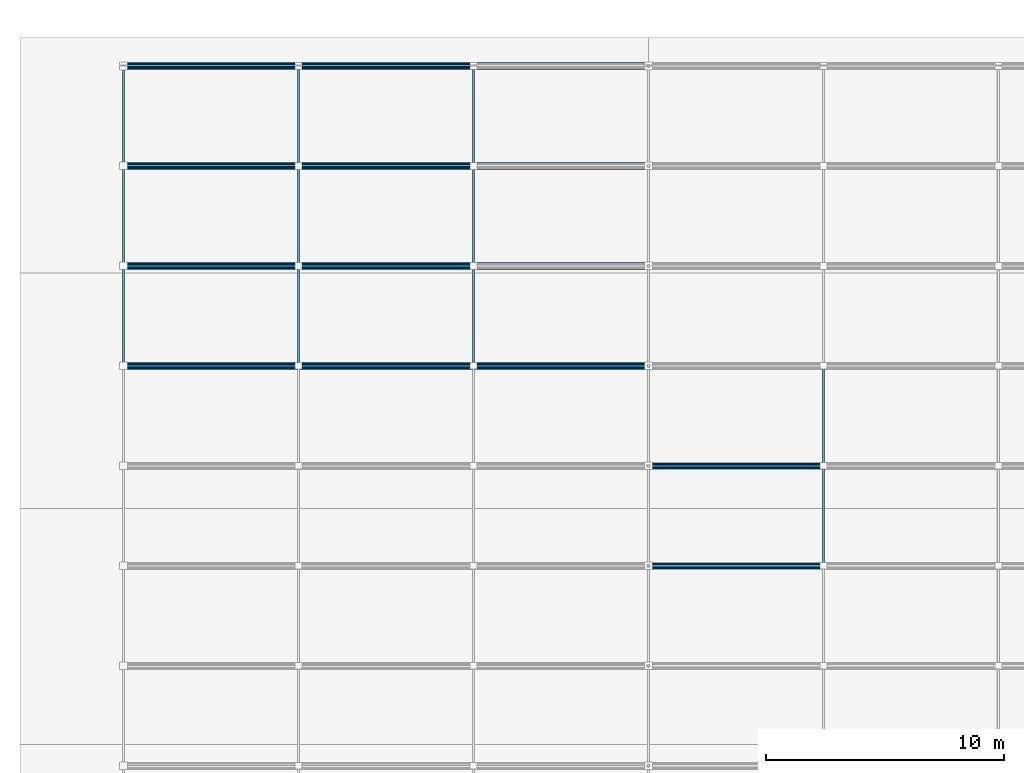
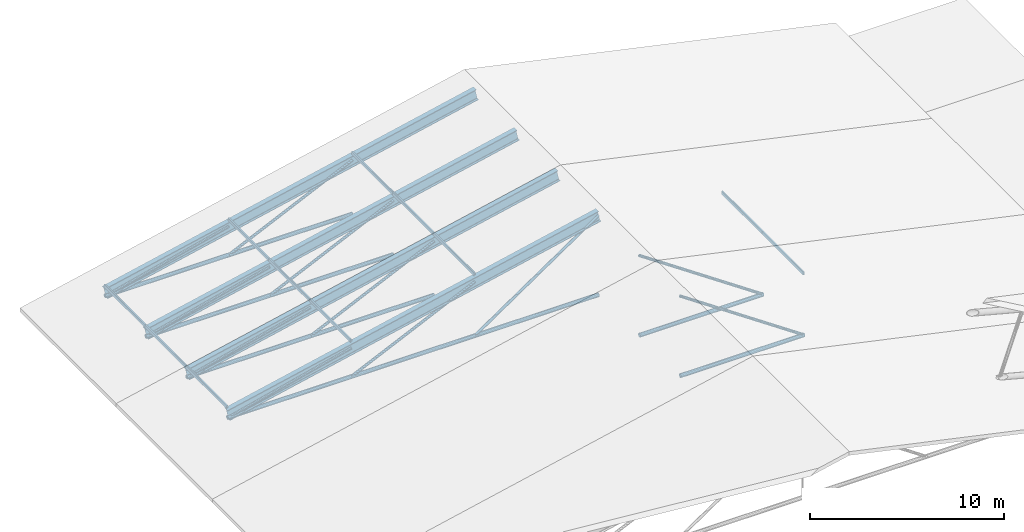
# One storey, part 18 of 60: 33 members, 4 beams.
"""IFC4 building model written with IfcOpenShell, lengths in metres."""

from ifc_helpers import new_model, si_unit, direction, frame, origin, origin_2d, place, context, subcontext, project, spatial, hollow_rectangle, hollow_circle, i_section, extrude, material, material_profile, profile_set, type_object, element, save


model = new_model("IFC4")

# Units and contexts
model_context = context("Model", 3, precision=1e-05, world=origin(), true_north=direction((0.0, 1.0)))
body_context = subcontext(model_context, "Body", "Model", "MODEL_VIEW")
ifc_project = project(units=[si_unit("LENGTHUNIT", "METRE"), si_unit("AREAUNIT", "SQUARE_METRE"), si_unit("VOLUMEUNIT", "CUBIC_METRE"), si_unit("PLANEANGLEUNIT", "RADIAN"), si_unit("MASSUNIT", "GRAM", prefix="KILO")], contexts=[model_context])

# Site, building, storey
site_placement = place(None, origin())
site = spatial("IfcSite", under=ifc_project, at=site_placement, CompositionType="ELEMENT")
building_placement = place(site_placement, origin())
building = spatial("IfcBuilding", under=site, at=building_placement, Name="Nakhvara Creek Congress Hotel", CompositionType="ELEMENT")
storey_placement = place(building_placement, frame((0.0, 0.0, 54.60009765625)))
storey = spatial("IfcBuildingStorey", under=building, at=storey_placement, Name="RL1", CompositionType="ELEMENT", Elevation=54.60009765625)

# Beams
ifc_material_1 = material(Name="Steel S355J2", Category="steel")
ifc_material_profile_1 = material_profile(ifc_material_1, i_section(OverallWidth=0.300048828125, OverallDepth=0.699951171875, WebThickness=0.01708984375, FlangeThickness=0.031982421875, FilletRadius=0.027099609375, at=origin_2d()), Name="HEB 700", Category="LoadBearing")
ifc_profile_set_1 = profile_set([ifc_material_profile_1], Name="Steel S355J2")
beam_type = type_object("IfcBeamType", Name="BM-ST-HEB700", PredefinedType="BEAM", material=ifc_profile_set_1)
for number, where, z_axis, x_axis, name in (
    (1, (4.35009765625, 112.199951171875, -41.68017578125), (0.977115492222, 0.0, 0.212709461143), (0.0, 1.0, 0.0), "Ballroom Roof Truss West Rafter 06"),
    (2, (4.35009765625, 116.39990234375, -41.68017578125), (0.977115492222, 0.0, 0.212709461143), (0.0, 1.0, 0.0), "Ballroom Roof Truss West Rafter 07"),
    (3, (4.35009765625, 120.60009765625, -41.68017578125), (0.977115492222, 0.0, 0.212709461143), (0.0, 1.0, 0.0), "Ballroom Roof Truss West Rafter 08"),
    (4, (4.35009765625, 124.800048828125, -41.68017578125), (0.977115492222, 0.0, 0.212709461143), (0.0, 1.0, 0.0), "Ballroom Roof Truss West Rafter 09"),
):
    element("IfcBeam", number, at=place(storey_placement, frame(where, z_axis=z_axis, x_axis=x_axis)), inside=storey, type_object=beam_type, Name=name, PredefinedType="BEAM", context=body_context, shape_type="SweptSolid", body=[
        extrude(i_section(OverallWidth=0.300048828125, OverallDepth=0.699951171875, WebThickness=0.01708984375, FlangeThickness=0.031982421875, FilletRadius=0.027099609375, at=origin_2d()), origin(), (0.0, 0.0, 1.0), 22.566162109375),
    ])

# Members
ifc_material_2 = material(Name="Steel S355J2H", Category="steel")
ifc_material_profile_2 = material_profile(ifc_material_2, hollow_circle(Radius=0.084228515625, WallThickness=0.008056640625, at=origin_2d()), Name="CHS 168.3x8.0", Category="LoadBearing")
ifc_profile_set_2 = profile_set([ifc_material_profile_2], Name="Steel S355J2H")
member_type_1 = type_object("IfcMemberType", Name="MEM-BRC-CHS168", PredefinedType="BRACE", material=ifc_profile_set_2)
for number, where, z_axis, x_axis, name in (
    (5, (33.75, 103.800048828125, -41.89013671875), (-0.826301661582, 0.0, 0.563227808321), (0.0, -1.0, 0.0), "Ballroom Roof Truss Web Brace 04.4"),
    (6, (33.75, 108.0, -41.89013671875), (-0.826301661582, 0.0, 0.563227808321), (0.0, -1.0, 0.0), "Ballroom Roof Truss Web Brace 05.4"),
):
    element("IfcMember", number, at=place(storey_placement, frame(where, z_axis=z_axis, x_axis=x_axis)), inside=storey, type_object=member_type_1, Name=name, PredefinedType="BRACE", context=body_context, shape_type="SweptSolid", body=[
        extrude(hollow_circle(Radius=0.084228515625, WallThickness=0.008056640625, at=origin_2d()), origin(), (0.0, 0.0, 1.0), 8.895263671875),
    ])
member_1_placement = place(storey_placement, frame((4.35009765625, 112.199951171875, -41.89013671875), z_axis=(0.970988385027, 0.0, 0.239126652934), x_axis=(0.0, 1.0, 0.0)))
element("IfcMember", 7, at=member_1_placement, inside=storey, type_object=member_type_1, Name="Ballroom Roof Truss Web Brace 06.1", PredefinedType="BRACE", context=body_context, shape_type="SweptSolid", body=[
    extrude(hollow_circle(Radius=0.084228515625, WallThickness=0.008056640625, at=origin_2d()), origin(), (0.0, 0.0, 1.0), 7.5693359375),
])
member_2_placement = place(storey_placement, frame((11.699951171875, 112.199951171875, -41.89013671875), z_axis=(0.907121554774, 0.0, 0.420868726403), x_axis=(0.0, 1.0, 0.0)))
element("IfcMember", 8, at=member_2_placement, inside=storey, type_object=member_type_1, Name="Ballroom Roof Truss Web Brace 06.2", PredefinedType="BRACE", context=body_context, shape_type="SweptSolid", body=[
    extrude(hollow_circle(Radius=0.084228515625, WallThickness=0.008056640625, at=origin_2d()), origin(), (0.0, 0.0, 1.0), 8.1025390625),
])
member_3_placement = place(storey_placement, frame((19.050048828125, 112.199951171875, -41.89013671875), z_axis=(0.826292954583, 0.0, 0.563240581996), x_axis=(0.0, 1.0, 0.0)))
element("IfcMember", 9, at=member_3_placement, inside=storey, type_object=member_type_1, Name="Ballroom Roof Truss Web Brace 06.3", PredefinedType="BRACE", context=body_context, shape_type="SweptSolid", body=[
    extrude(hollow_circle(Radius=0.084228515625, WallThickness=0.008056640625, at=origin_2d()), origin(), (0.0, 0.0, 1.0), 8.89501953125),
])
member_4_placement = place(storey_placement, frame((4.35009765625, 116.39990234375, -41.89013671875), z_axis=(0.970988385027, 0.0, 0.239126652934), x_axis=(0.0, 1.0, 0.0)))
element("IfcMember", 10, at=member_4_placement, inside=storey, type_object=member_type_1, Name="Ballroom Roof Truss Web Brace 07.1", PredefinedType="BRACE", context=body_context, shape_type="SweptSolid", body=[
    extrude(hollow_circle(Radius=0.084228515625, WallThickness=0.008056640625, at=origin_2d()), origin(), (0.0, 0.0, 1.0), 7.5693359375),
])
member_5_placement = place(storey_placement, frame((11.699951171875, 116.39990234375, -41.89013671875), z_axis=(0.907121554774, 0.0, 0.420868726403), x_axis=(0.0, 1.0, 0.0)))
element("IfcMember", 11, at=member_5_placement, inside=storey, type_object=member_type_1, Name="Ballroom Roof Truss Web Brace 07.2", PredefinedType="BRACE", context=body_context, shape_type="SweptSolid", body=[
    extrude(hollow_circle(Radius=0.084228515625, WallThickness=0.008056640625, at=origin_2d()), origin(), (0.0, 0.0, 1.0), 8.1025390625),
])
member_6_placement = place(storey_placement, frame((4.35009765625, 120.60009765625, -41.89013671875), z_axis=(0.970988385027, 0.0, 0.239126652934), x_axis=(0.0, 1.0, 0.0)))
element("IfcMember", 12, at=member_6_placement, inside=storey, type_object=member_type_1, Name="Ballroom Roof Truss Web Brace 08.1", PredefinedType="BRACE", context=body_context, shape_type="SweptSolid", body=[
    extrude(hollow_circle(Radius=0.084228515625, WallThickness=0.008056640625, at=origin_2d()), origin(), (0.0, 0.0, 1.0), 7.5693359375),
])
member_7_placement = place(storey_placement, frame((11.699951171875, 120.60009765625, -41.89013671875), z_axis=(0.907121554774, 0.0, 0.420868726403), x_axis=(0.0, 1.0, 0.0)))
element("IfcMember", 13, at=member_7_placement, inside=storey, type_object=member_type_1, Name="Ballroom Roof Truss Web Brace 08.2", PredefinedType="BRACE", context=body_context, shape_type="SweptSolid", body=[
    extrude(hollow_circle(Radius=0.084228515625, WallThickness=0.008056640625, at=origin_2d()), origin(), (0.0, 0.0, 1.0), 8.1025390625),
])
member_8_placement = place(storey_placement, frame((4.35009765625, 124.800048828125, -41.89013671875), z_axis=(0.970988385027, 0.0, 0.239126652934), x_axis=(0.0, 1.0, 0.0)))
element("IfcMember", 14, at=member_8_placement, inside=storey, type_object=member_type_1, Name="Ballroom Roof Truss Web Brace 09.1", PredefinedType="BRACE", context=body_context, shape_type="SweptSolid", body=[
    extrude(hollow_circle(Radius=0.084228515625, WallThickness=0.008056640625, at=origin_2d()), origin(), (0.0, 0.0, 1.0), 7.5693359375),
])
member_9_placement = place(storey_placement, frame((11.699951171875, 124.800048828125, -41.89013671875), z_axis=(0.907121554774, 0.0, 0.420868726403), x_axis=(0.0, 1.0, 0.0)))
element("IfcMember", 15, at=member_9_placement, inside=storey, type_object=member_type_1, Name="Ballroom Roof Truss Web Brace 09.2", PredefinedType="BRACE", context=body_context, shape_type="SweptSolid", body=[
    extrude(hollow_circle(Radius=0.084228515625, WallThickness=0.008056640625, at=origin_2d()), origin(), (0.0, 0.0, 1.0), 8.1025390625),
])
ifc_material_profile_3 = material_profile(ifc_material_2, hollow_circle(Radius=0.122314453125, WallThickness=0.012451171875, at=origin_2d()), Name="CHS 244.5x12.5", Category="LoadBearing")
ifc_profile_set_3 = profile_set([ifc_material_profile_3], Name="Steel S355J2H")
member_type_2 = type_object("IfcMemberType", Name="MEM-CHD-CHS244", PredefinedType="CHORD", material=ifc_profile_set_3)
for number, where, z_axis, x_axis, name in (
    (16, (26.39990234375, 103.800048828125, -41.89013671875), (1.0, 0.0, 0.0), (0.0, 1.0, 0.0), "Ballroom Roof Truss Bottom Chord 04.4"),
    (17, (26.39990234375, 108.0, -41.89013671875), (1.0, 0.0, 0.0), (0.0, 1.0, 0.0), "Ballroom Roof Truss Bottom Chord 05.4"),
):
    element("IfcMember", number, at=place(storey_placement, frame(where, z_axis=z_axis, x_axis=x_axis)), inside=storey, type_object=member_type_2, Name=name, PredefinedType="CHORD", context=body_context, shape_type="SweptSolid", body=[
        extrude(hollow_circle(Radius=0.122314453125, WallThickness=0.012451171875, at=origin_2d()), origin(), (0.0, 0.0, 1.0), 7.35009765625),
    ])
member_10_placement = place(storey_placement, frame((4.35009765625, 112.199951171875, -41.89013671875), z_axis=(1.0, 0.0, 0.0), x_axis=(0.0, 1.0, 0.0)))
element("IfcMember", 18, at=member_10_placement, inside=storey, type_object=member_type_2, Name="Ballroom Roof Truss Bottom Chord 06.1", PredefinedType="CHORD", context=body_context, shape_type="SweptSolid", body=[
    extrude(hollow_circle(Radius=0.122314453125, WallThickness=0.012451171875, at=origin_2d()), origin(), (0.0, 0.0, 1.0), 7.349853515625),
])
member_11_placement = place(storey_placement, frame((11.699951171875, 112.199951171875, -41.89013671875), z_axis=(1.0, 0.0, 0.0), x_axis=(0.0, 1.0, 0.0)))
element("IfcMember", 19, at=member_11_placement, inside=storey, type_object=member_type_2, Name="Ballroom Roof Truss Bottom Chord 06.2", PredefinedType="CHORD", context=body_context, shape_type="SweptSolid", body=[
    extrude(hollow_circle(Radius=0.122314453125, WallThickness=0.012451171875, at=origin_2d()), origin(), (0.0, 0.0, 1.0), 7.35009765625),
])
for number, where, z_axis, x_axis, name in (
    (20, (19.050048828125, 112.199951171875, -41.89013671875), (1.0, 0.0, 0.0), (0.0, 1.0, 0.0), "Ballroom Roof Truss Bottom Chord 06.3"),
    (21, (4.35009765625, 116.39990234375, -41.89013671875), (1.0, 0.0, 0.0), (0.0, 1.0, 0.0), "Ballroom Roof Truss Bottom Chord 07.1"),
):
    element("IfcMember", number, at=place(storey_placement, frame(where, z_axis=z_axis, x_axis=x_axis)), inside=storey, type_object=member_type_2, Name=name, PredefinedType="CHORD", context=body_context, shape_type="SweptSolid", body=[
        extrude(hollow_circle(Radius=0.122314453125, WallThickness=0.012451171875, at=origin_2d()), origin(), (0.0, 0.0, 1.0), 7.349853515625),
    ])
member_12_placement = place(storey_placement, frame((11.699951171875, 116.39990234375, -41.89013671875), z_axis=(1.0, 0.0, 0.0), x_axis=(0.0, 1.0, 0.0)))
element("IfcMember", 22, at=member_12_placement, inside=storey, type_object=member_type_2, Name="Ballroom Roof Truss Bottom Chord 07.2", PredefinedType="CHORD", context=body_context, shape_type="SweptSolid", body=[
    extrude(hollow_circle(Radius=0.122314453125, WallThickness=0.012451171875, at=origin_2d()), origin(), (0.0, 0.0, 1.0), 7.35009765625),
])
member_13_placement = place(storey_placement, frame((4.35009765625, 120.60009765625, -41.89013671875), z_axis=(1.0, 0.0, 0.0), x_axis=(0.0, 1.0, 0.0)))
element("IfcMember", 23, at=member_13_placement, inside=storey, type_object=member_type_2, Name="Ballroom Roof Truss Bottom Chord 08.1", PredefinedType="CHORD", context=body_context, shape_type="SweptSolid", body=[
    extrude(hollow_circle(Radius=0.122314453125, WallThickness=0.012451171875, at=origin_2d()), origin(), (0.0, 0.0, 1.0), 7.349853515625),
])
member_14_placement = place(storey_placement, frame((11.699951171875, 120.60009765625, -41.89013671875), z_axis=(1.0, 0.0, 0.0), x_axis=(0.0, 1.0, 0.0)))
element("IfcMember", 24, at=member_14_placement, inside=storey, type_object=member_type_2, Name="Ballroom Roof Truss Bottom Chord 08.2", PredefinedType="CHORD", context=body_context, shape_type="SweptSolid", body=[
    extrude(hollow_circle(Radius=0.122314453125, WallThickness=0.012451171875, at=origin_2d()), origin(), (0.0, 0.0, 1.0), 7.35009765625),
])
member_15_placement = place(storey_placement, frame((4.35009765625, 124.800048828125, -41.89013671875), z_axis=(1.0, 0.0, 0.0), x_axis=(0.0, 1.0, 0.0)))
element("IfcMember", 25, at=member_15_placement, inside=storey, type_object=member_type_2, Name="Ballroom Roof Truss Bottom Chord 09.1", PredefinedType="CHORD", context=body_context, shape_type="SweptSolid", body=[
    extrude(hollow_circle(Radius=0.122314453125, WallThickness=0.012451171875, at=origin_2d()), origin(), (0.0, 0.0, 1.0), 7.349853515625),
])
member_16_placement = place(storey_placement, frame((11.699951171875, 124.800048828125, -41.89013671875), z_axis=(1.0, 0.0, 0.0), x_axis=(0.0, 1.0, 0.0)))
element("IfcMember", 26, at=member_16_placement, inside=storey, type_object=member_type_2, Name="Ballroom Roof Truss Bottom Chord 09.2", PredefinedType="CHORD", context=body_context, shape_type="SweptSolid", body=[
    extrude(hollow_circle(Radius=0.122314453125, WallThickness=0.012451171875, at=origin_2d()), origin(), (0.0, 0.0, 1.0), 7.35009765625),
])
ifc_material_profile_4 = material_profile(ifc_material_2, hollow_rectangle(XDim=0.10009765625, YDim=0.199951171875, WallThickness=0.008056640625, InnerFilletRadius=0.008056640625, OuterFilletRadius=0.01611328125, at=origin_2d()), Name="RHS 200x100x8.0", Category="LoadBearing")
ifc_profile_set_4 = profile_set([ifc_material_profile_4], Name="Steel S355J2H")
member_type_3 = type_object("IfcMemberType", Name="MEM-PUR-RHS200", PredefinedType="PURLIN", material=ifc_profile_set_4)
member_17_placement = place(storey_placement, frame((4.35009765625, 112.199951171875, -41.23388671875), z_axis=(0.0, 1.0, 0.0), x_axis=(-1.0, 0.0, 0.0)))
element("IfcMember", 27, at=member_17_placement, inside=storey, type_object=member_type_3, Name="Ballroom Roof Purlin 1.6", PredefinedType="PURLIN", context=body_context, shape_type="SweptSolid", body=[
    extrude(hollow_rectangle(XDim=0.10009765625, YDim=0.199951171875, WallThickness=0.008056640625, InnerFilletRadius=0.008056640625, OuterFilletRadius=0.01611328125, at=origin_2d()), origin(), (0.0, 0.0, 1.0), 4.199951171875),
])
member_18_placement = place(storey_placement, frame((4.35009765625, 116.39990234375, -41.23388671875), z_axis=(0.0, 1.0, 0.0), x_axis=(-1.0, 0.0, 0.0)))
element("IfcMember", 28, at=member_18_placement, inside=storey, type_object=member_type_3, Name="Ballroom Roof Purlin 1.7", PredefinedType="PURLIN", context=body_context, shape_type="SweptSolid", body=[
    extrude(hollow_rectangle(XDim=0.10009765625, YDim=0.199951171875, WallThickness=0.008056640625, InnerFilletRadius=0.008056640625, OuterFilletRadius=0.01611328125, at=origin_2d()), origin(), (0.0, 0.0, 1.0), 4.2001953125),
])
for number, where, z_axis, x_axis, name in (
    (29, (4.35009765625, 120.60009765625, -41.23388671875), (0.0, 1.0, 0.0), (-1.0, 0.0, 0.0), "Ballroom Roof Purlin 1.8"),
    (30, (11.699951171875, 112.199951171875, -39.6337890625), (0.0, 1.0, 0.0), (-1.0, 0.0, 0.0), "Ballroom Roof Purlin 2.6"),
):
    element("IfcMember", number, at=place(storey_placement, frame(where, z_axis=z_axis, x_axis=x_axis)), inside=storey, type_object=member_type_3, Name=name, PredefinedType="PURLIN", context=body_context, shape_type="SweptSolid", body=[
        extrude(hollow_rectangle(XDim=0.10009765625, YDim=0.199951171875, WallThickness=0.008056640625, InnerFilletRadius=0.008056640625, OuterFilletRadius=0.01611328125, at=origin_2d()), origin(), (0.0, 0.0, 1.0), 4.199951171875),
    ])
member_19_placement = place(storey_placement, frame((11.699951171875, 116.39990234375, -39.6337890625), z_axis=(0.0, 1.0, 0.0), x_axis=(-1.0, 0.0, 0.0)))
element("IfcMember", 31, at=member_19_placement, inside=storey, type_object=member_type_3, Name="Ballroom Roof Purlin 2.7", PredefinedType="PURLIN", context=body_context, shape_type="SweptSolid", body=[
    extrude(hollow_rectangle(XDim=0.10009765625, YDim=0.199951171875, WallThickness=0.008056640625, InnerFilletRadius=0.008056640625, OuterFilletRadius=0.01611328125, at=origin_2d()), origin(), (0.0, 0.0, 1.0), 4.2001953125),
])
for number, where, z_axis, x_axis, name in (
    (32, (11.699951171875, 120.60009765625, -39.6337890625), (0.0, 1.0, 0.0), (-1.0, 0.0, 0.0), "Ballroom Roof Purlin 2.8"),
    (33, (19.050048828125, 112.199951171875, -38.033935546875), (0.0, 1.0, 0.0), (-1.0, 0.0, 0.0), "Ballroom Roof Purlin 3.6"),
):
    element("IfcMember", number, at=place(storey_placement, frame(where, z_axis=z_axis, x_axis=x_axis)), inside=storey, type_object=member_type_3, Name=name, PredefinedType="PURLIN", context=body_context, shape_type="SweptSolid", body=[
        extrude(hollow_rectangle(XDim=0.10009765625, YDim=0.199951171875, WallThickness=0.008056640625, InnerFilletRadius=0.008056640625, OuterFilletRadius=0.01611328125, at=origin_2d()), origin(), (0.0, 0.0, 1.0), 4.199951171875),
    ])
member_20_placement = place(storey_placement, frame((19.050048828125, 116.39990234375, -38.033935546875), z_axis=(0.0, 1.0, 0.0), x_axis=(-1.0, 0.0, 0.0)))
element("IfcMember", 34, at=member_20_placement, inside=storey, type_object=member_type_3, Name="Ballroom Roof Purlin 3.7", PredefinedType="PURLIN", context=body_context, shape_type="SweptSolid", body=[
    extrude(hollow_rectangle(XDim=0.10009765625, YDim=0.199951171875, WallThickness=0.008056640625, InnerFilletRadius=0.008056640625, OuterFilletRadius=0.01611328125, at=origin_2d()), origin(), (0.0, 0.0, 1.0), 4.2001953125),
])
for number, where, z_axis, x_axis, name in (
    (35, (19.050048828125, 120.60009765625, -38.033935546875), (0.0, 1.0, 0.0), (-1.0, 0.0, 0.0), "Ballroom Roof Purlin 3.8"),
    (36, (33.75, 103.800048828125, -38.033935546875), (0.0, 1.0, 0.0), (-1.0, 0.0, 0.0), "Ballroom Roof Purlin 5.4"),
    (37, (33.75, 108.0, -38.033935546875), (0.0, 1.0, 0.0), (-1.0, 0.0, 0.0), "Ballroom Roof Purlin 5.5"),
):
    element("IfcMember", number, at=place(storey_placement, frame(where, z_axis=z_axis, x_axis=x_axis)), inside=storey, type_object=member_type_3, Name=name, PredefinedType="PURLIN", context=body_context, shape_type="SweptSolid", body=[
        extrude(hollow_rectangle(XDim=0.10009765625, YDim=0.199951171875, WallThickness=0.008056640625, InnerFilletRadius=0.008056640625, OuterFilletRadius=0.01611328125, at=origin_2d()), origin(), (0.0, 0.0, 1.0), 4.199951171875),
    ])

save(model, "model.ifc")
